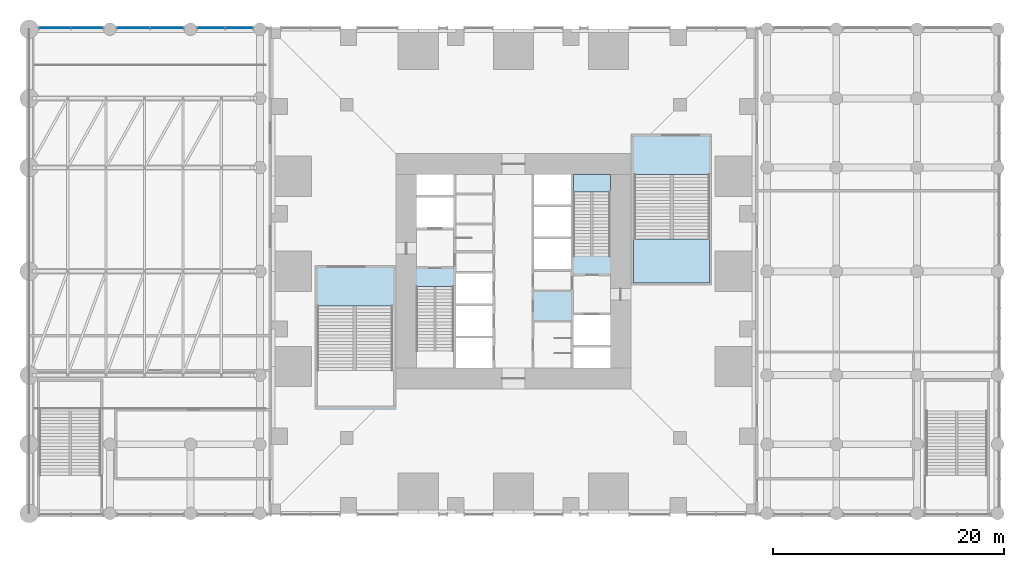
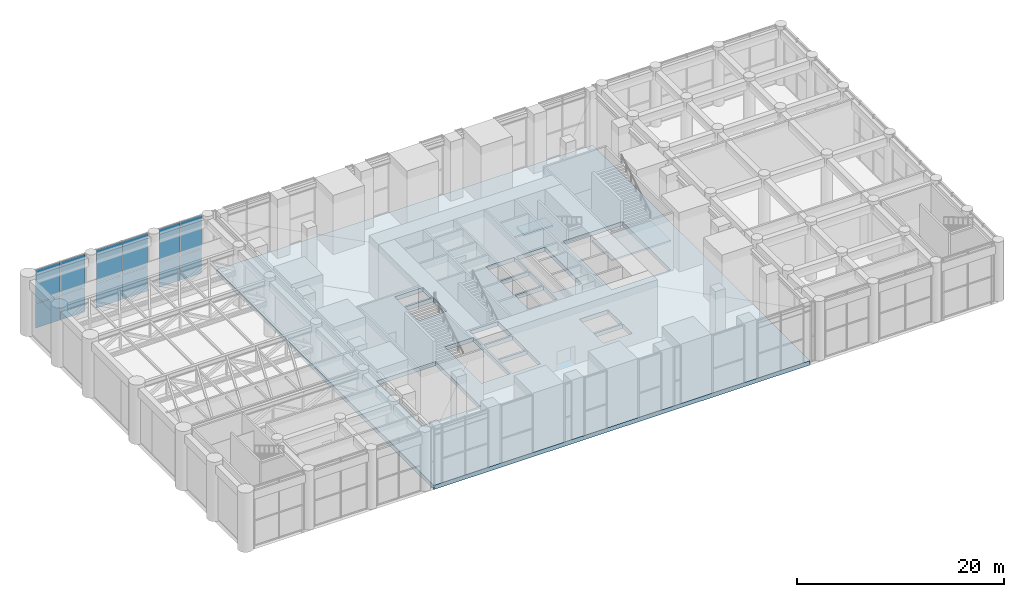
# One storey, part 18 of 30: 12 plates, 3 slabs, 5 elements without a shape of their own.
"""IFC4 building model written with IfcOpenShell, lengths in metres."""

from ifc_helpers import new_model, si_unit, direction, frame, origin, origin_2d, place, context, subcontext, project, spatial, polyline, rectangle, outline, extrude, material, layer, layer_set, type_object, element, aggregate, save


model = new_model("IFC4")

# Units and contexts
model_context = context("Model", 3, precision=1e-05, world=origin(), true_north=direction((0.0, 1.0)))
body_context = subcontext(model_context, "Body", "Model", "MODEL_VIEW")
ifc_project = project(units=[si_unit("LENGTHUNIT", "METRE"), si_unit("AREAUNIT", "SQUARE_METRE"), si_unit("VOLUMEUNIT", "CUBIC_METRE"), si_unit("PLANEANGLEUNIT", "RADIAN"), si_unit("MASSUNIT", "GRAM", prefix="KILO")], contexts=[model_context])

# Site, building, storey
site_placement = place(None, origin())
site = spatial("IfcSite", under=ifc_project, at=site_placement, CompositionType="ELEMENT")
building_placement = place(site_placement, origin())
building = spatial("IfcBuilding", under=site, at=building_placement, Name="Svetlomir Tower", CompositionType="ELEMENT")
storey_placement = place(building_placement, frame((0.0, 0.0, 11.0)))
storey = spatial("IfcBuildingStorey", under=building, at=storey_placement, Name="L02", CompositionType="ELEMENT", Elevation=11.0)

# Curtain wall, plates
ifc_material_1 = material(Name="Bronze anodised aluminium curtain wall", Category="aluminium")
curtain_wall_type = type_object("IfcCurtainWallType", Name="CURTAIN WALL CW5 PODIUM", PredefinedType="NOTDEFINED", material=ifc_material_1)
curtain_wall_1_placement = place(storey_placement, origin())
curtain_wall_1 = element("IfcCurtainWall", 1, at=curtain_wall_1_placement, inside=storey, type_object=curtain_wall_type, Name="Curtain wall CW5 L02", PredefinedType="NOTDEFINED")
ifc_material_2 = material(Name="Tinted double glazed unit", Category="glass")
ifc_layer_1 = layer(ifc_material_2, 0.0400390625)
ifc_layer_set_1 = layer_set([ifc_layer_1], Name="Tinted double glazed unit")
plate_type = type_object("IfcPlateType", Name="CW5 GLAZED PANEL 40", PredefinedType="CURTAIN_PANEL", material=ifc_layer_set_1)
plate_1_placement = place(storey_placement, frame((-2.794921875, 42.10009765625, 0.080078125), z_axis=(0.0, 0.0, 1.0), x_axis=(-1.0, 0.0, 0.0)))
plate_1 = element("IfcPlate", 2, at=plate_1_placement, type_object=plate_type, Name="CW5 panel 1.1", PredefinedType="CURTAIN_PANEL", context=body_context, shape_type="SweptSolid", body=[
    extrude(rectangle(XDim=2.330078125, YDim=0.0400390625, at=origin_2d()), origin(), (0.0, 0.0, 1.0), 2.8798828125),
])
plate_2_placement = place(storey_placement, frame((-2.794921875, 42.10009765625, 3.0400390625), z_axis=(0.0, 0.0, 1.0), x_axis=(-1.0, 0.0, 0.0)))
plate_2 = element("IfcPlate", 3, at=plate_2_placement, type_object=plate_type, Name="CW5 panel 1.2", PredefinedType="CURTAIN_PANEL", context=body_context, shape_type="SweptSolid", body=[
    extrude(rectangle(XDim=2.330078125, YDim=0.0400390625, at=origin_2d()), origin(), (0.0, 0.0, 1.0), 3.8798828125),
])
plate_3_placement = place(storey_placement, frame((-5.205078125, 42.10009765625, 0.080078125), z_axis=(0.0, 0.0, 1.0), x_axis=(-1.0, 0.0, 0.0)))
plate_3 = element("IfcPlate", 4, at=plate_3_placement, type_object=plate_type, Name="CW5 panel 2.1", PredefinedType="CURTAIN_PANEL", context=body_context, shape_type="SweptSolid", body=[
    extrude(rectangle(XDim=2.330078125, YDim=0.0400390625, at=origin_2d()), origin(), (0.0, 0.0, 1.0), 2.8798828125),
])
plate_4_placement = place(storey_placement, frame((-5.205078125, 42.10009765625, 3.0400390625), z_axis=(0.0, 0.0, 1.0), x_axis=(-1.0, 0.0, 0.0)))
plate_4 = element("IfcPlate", 5, at=plate_4_placement, type_object=plate_type, Name="CW5 panel 2.2", PredefinedType="CURTAIN_PANEL", context=body_context, shape_type="SweptSolid", body=[
    extrude(rectangle(XDim=2.330078125, YDim=0.0400390625, at=origin_2d()), origin(), (0.0, 0.0, 1.0), 3.8798828125),
])
aggregate(curtain_wall_1, [plate_1, plate_2, plate_3, plate_4])

curtain_wall_2_placement = place(storey_placement, origin())
curtain_wall_2 = element("IfcCurtainWall", 6, at=curtain_wall_2_placement, inside=storey, type_object=curtain_wall_type, Name="Curtain wall CW5 L02", PredefinedType="NOTDEFINED")
plate_5_placement = place(storey_placement, frame((-9.044921875, 42.10009765625, 0.080078125), z_axis=(0.0, 0.0, 1.0), x_axis=(-1.0, 0.0, 0.0)))
plate_5 = element("IfcPlate", 7, at=plate_5_placement, type_object=plate_type, Name="CW5 panel 1.1", PredefinedType="CURTAIN_PANEL", context=body_context, shape_type="SweptSolid", body=[
    extrude(rectangle(XDim=2.830078125, YDim=0.0400390625, at=origin_2d()), origin(), (0.0, 0.0, 1.0), 2.8798828125),
])
plate_6_placement = place(storey_placement, frame((-9.044921875, 42.10009765625, 3.0400390625), z_axis=(0.0, 0.0, 1.0), x_axis=(-1.0, 0.0, 0.0)))
plate_6 = element("IfcPlate", 8, at=plate_6_placement, type_object=plate_type, Name="CW5 panel 1.2", PredefinedType="CURTAIN_PANEL", context=body_context, shape_type="SweptSolid", body=[
    extrude(rectangle(XDim=2.830078125, YDim=0.0400390625, at=origin_2d()), origin(), (0.0, 0.0, 1.0), 3.8798828125),
])
plate_7_placement = place(storey_placement, frame((-11.955078125, 42.10009765625, 0.080078125), z_axis=(0.0, 0.0, 1.0), x_axis=(-1.0, 0.0, 0.0)))
plate_7 = element("IfcPlate", 9, at=plate_7_placement, type_object=plate_type, Name="CW5 panel 2.1", PredefinedType="CURTAIN_PANEL", context=body_context, shape_type="SweptSolid", body=[
    extrude(rectangle(XDim=2.830078125, YDim=0.0400390625, at=origin_2d()), origin(), (0.0, 0.0, 1.0), 2.8798828125),
])
plate_8_placement = place(storey_placement, frame((-11.955078125, 42.10009765625, 3.0400390625), z_axis=(0.0, 0.0, 1.0), x_axis=(-1.0, 0.0, 0.0)))
plate_8 = element("IfcPlate", 10, at=plate_8_placement, type_object=plate_type, Name="CW5 panel 2.2", PredefinedType="CURTAIN_PANEL", context=body_context, shape_type="SweptSolid", body=[
    extrude(rectangle(XDim=2.830078125, YDim=0.0400390625, at=origin_2d()), origin(), (0.0, 0.0, 1.0), 3.8798828125),
])
aggregate(curtain_wall_2, [plate_5, plate_6, plate_7, plate_8])

curtain_wall_3_placement = place(storey_placement, origin())
curtain_wall_3 = element("IfcCurtainWall", 11, at=curtain_wall_3_placement, inside=storey, type_object=curtain_wall_type, Name="Curtain wall CW5 L02", PredefinedType="NOTDEFINED")
plate_9_placement = place(storey_placement, frame((-15.982421875, 42.10009765625, 0.080078125), z_axis=(0.0, 0.0, 1.0), x_axis=(-1.0, 0.0, 0.0)))
plate_9 = element("IfcPlate", 12, at=plate_9_placement, type_object=plate_type, Name="CW5 panel 1.1", PredefinedType="CURTAIN_PANEL", context=body_context, shape_type="SweptSolid", body=[
    extrude(rectangle(XDim=2.705078125, YDim=0.0400390625, at=origin_2d()), origin(), (0.0, 0.0, 1.0), 2.8798828125),
])
plate_10_placement = place(storey_placement, frame((-15.982421875, 42.10009765625, 3.0400390625), z_axis=(0.0, 0.0, 1.0), x_axis=(-1.0, 0.0, 0.0)))
plate_10 = element("IfcPlate", 13, at=plate_10_placement, type_object=plate_type, Name="CW5 panel 1.2", PredefinedType="CURTAIN_PANEL", context=body_context, shape_type="SweptSolid", body=[
    extrude(rectangle(XDim=2.705078125, YDim=0.0400390625, at=origin_2d()), origin(), (0.0, 0.0, 1.0), 3.8798828125),
])
plate_11_placement = place(storey_placement, frame((-18.767578125, 42.10009765625, 0.080078125), z_axis=(0.0, 0.0, 1.0), x_axis=(-1.0, 0.0, 0.0)))
plate_11 = element("IfcPlate", 14, at=plate_11_placement, type_object=plate_type, Name="CW5 panel 2.1", PredefinedType="CURTAIN_PANEL", context=body_context, shape_type="SweptSolid", body=[
    extrude(rectangle(XDim=2.705078125, YDim=0.0400390625, at=origin_2d()), origin(), (0.0, 0.0, 1.0), 2.8798828125),
])
plate_12_placement = place(storey_placement, frame((-18.767578125, 42.10009765625, 3.0400390625), z_axis=(0.0, 0.0, 1.0), x_axis=(-1.0, 0.0, 0.0)))
plate_12 = element("IfcPlate", 15, at=plate_12_placement, type_object=plate_type, Name="CW5 panel 2.2", PredefinedType="CURTAIN_PANEL", context=body_context, shape_type="SweptSolid", body=[
    extrude(rectangle(XDim=2.705078125, YDim=0.0400390625, at=origin_2d()), origin(), (0.0, 0.0, 1.0), 3.8798828125),
])
aggregate(curtain_wall_3, [plate_9, plate_10, plate_11, plate_12])

# Slab
ifc_material_3 = material(Name="Concrete C60/75", Category="concrete")
ifc_layer_2 = layer(ifc_material_3, 0.5)
ifc_layer_set_2 = layer_set([ifc_layer_2], Name="Concrete C60/75")
slab_type_1 = type_object("IfcSlabType", Name="FLOOR SLAB 500", PredefinedType="FLOOR", material=ifc_layer_set_2)
slab_1_placement = place(storey_placement, frame((0.0, 0.0, -0.5)))
element("IfcSlab", 16, at=slab_1_placement, inside=storey, type_object=slab_type_1, Name="L02 floor slab", PredefinedType="FLOOR", context=body_context, shape_type="SweptSolid", body=[
    extrude(outline(polyline([(0.0, 0.0), (42.0, 0.0), (42.0, 42.0), (0.0, 42.0), (0.0, 0.0)]), holes=[polyline([(12.60009765625, 24.800048828125), (15.800048828125, 24.800048828125), (15.800048828125, 27.39990234375), (12.60009765625, 27.39990234375), (12.60009765625, 24.800048828125)]), polyline([(26.199951171875, 14.60009765625), (29.39990234375, 14.60009765625), (29.39990234375, 17.199951171875), (26.199951171875, 17.199951171875), (26.199951171875, 14.60009765625)]), polyline([(16.0, 12.60009765625), (19.199951171875, 12.60009765625), (19.199951171875, 15.199951171875), (16.0, 15.199951171875), (16.0, 12.60009765625)]), polyline([(16.0, 15.39990234375), (19.199951171875, 15.39990234375), (19.199951171875, 18.0), (16.0, 18.0), (16.0, 15.39990234375)]), polyline([(16.0, 18.199951171875), (19.199951171875, 18.199951171875), (19.199951171875, 20.800048828125), (16.0, 20.800048828125), (16.0, 18.199951171875)]), polyline([(22.800048828125, 21.199951171875), (26.0, 21.199951171875), (26.0, 23.800048828125), (22.800048828125, 23.800048828125), (22.800048828125, 21.199951171875)]), polyline([(22.800048828125, 24.0), (26.0, 24.0), (26.0, 26.60009765625), (22.800048828125, 26.60009765625), (22.800048828125, 24.0)]), polyline([(22.800048828125, 26.800048828125), (26.0, 26.800048828125), (26.0, 29.39990234375), (22.800048828125, 29.39990234375), (22.800048828125, 26.800048828125)]), polyline([(12.60009765625, 27.60009765625), (15.800048828125, 27.60009765625), (15.800048828125, 29.39990234375), (12.60009765625, 29.39990234375), (12.60009765625, 27.60009765625)]), polyline([(26.199951171875, 12.60009765625), (29.39990234375, 12.60009765625), (29.39990234375, 14.39990234375), (26.199951171875, 14.39990234375), (26.199951171875, 12.60009765625)]), polyline([(12.60009765625, 12.60009765625), (15.800048828125, 12.60009765625), (15.800048828125, 19.679931640625), (12.60009765625, 19.679931640625), (12.60009765625, 12.60009765625)]), polyline([(26.199951171875, 22.320068359375), (29.39990234375, 22.320068359375), (29.39990234375, 29.39990234375), (26.199951171875, 29.39990234375), (26.199951171875, 22.320068359375)]), polyline([(4.0, 9.300048828125), (10.60009765625, 9.300048828125), (10.60009765625, 17.97998046875), (4.0, 17.97998046875), (4.0, 9.300048828125)]), polyline([(31.39990234375, 20.0), (38.0, 20.0), (38.0, 29.3798828125), (31.39990234375, 29.3798828125), (31.39990234375, 20.0)])]), origin(), (0.0, 0.0, 1.0), 0.5),
])

# Stair, slab
ifc_material_4 = material(Name="Concrete C60/75", Category="concrete")
stair_type_1 = type_object("IfcStairType", Name="EXIT STAIR 3200 RISE 7000", PredefinedType="HALF_TURN_STAIR", material=ifc_material_4)
stair_1_placement = place(storey_placement, origin())
stair_1 = element("IfcStair", 17, at=stair_1_placement, inside=storey, type_object=stair_type_1, Name="Stair S2 L02 to L03", PredefinedType="HALF_TURN_STAIR")
ifc_material_5 = material(Name="Concrete C60/75", Category="concrete")
ifc_layer_3 = layer(ifc_material_5, 0.199951171875)
ifc_layer_set_3 = layer_set([ifc_layer_3], Name="Concrete C60/75")
slab_type_2 = type_object("IfcSlabType", Name="STAIR LANDING 200", PredefinedType="LANDING", material=ifc_layer_set_3)
slab_2_placement = place(storey_placement, frame((0.0, 0.0, 3.300048828125)))
slab_2 = element("IfcSlab", 18, at=slab_2_placement, type_object=slab_type_2, Name="S2 landing 1", PredefinedType="LANDING", context=body_context, shape_type="SweptSolid", body=[
    extrude(outline(polyline([(26.199951171875, 27.89990234375), (29.39990234375, 27.89990234375), (29.39990234375, 29.39990234375), (26.199951171875, 29.39990234375), (26.199951171875, 27.89990234375)])), origin(), (0.0, 0.0, 1.0), 0.199951171875),
])
aggregate(stair_1, [slab_2])

ifc_material_6 = material(Name="Concrete C60/75", Category="concrete")
stair_type_2 = type_object("IfcStairType", Name="EXIT STAIR 6600 RISE 7000", PredefinedType="HALF_TURN_STAIR", material=ifc_material_6)
stair_2_placement = place(storey_placement, origin())
stair_2 = element("IfcStair", 19, at=stair_2_placement, inside=storey, type_object=stair_type_2, Name="Stair P2 L02 to L03", PredefinedType="HALF_TURN_STAIR")
slab_3_placement = place(storey_placement, frame((0.0, 0.0, 3.300048828125)))
slab_3 = element("IfcSlab", 20, at=slab_3_placement, type_object=slab_type_2, Name="P2 landing 1", PredefinedType="LANDING", context=body_context, shape_type="SweptSolid", body=[
    extrude(outline(polyline([(31.39990234375, 20.0), (38.0, 20.0), (38.0, 23.800048828125), (31.39990234375, 23.800048828125), (31.39990234375, 20.0)])), origin(), (0.0, 0.0, 1.0), 0.199951171875),
])
aggregate(stair_2, [slab_3])

save(model, "model.ifc")
